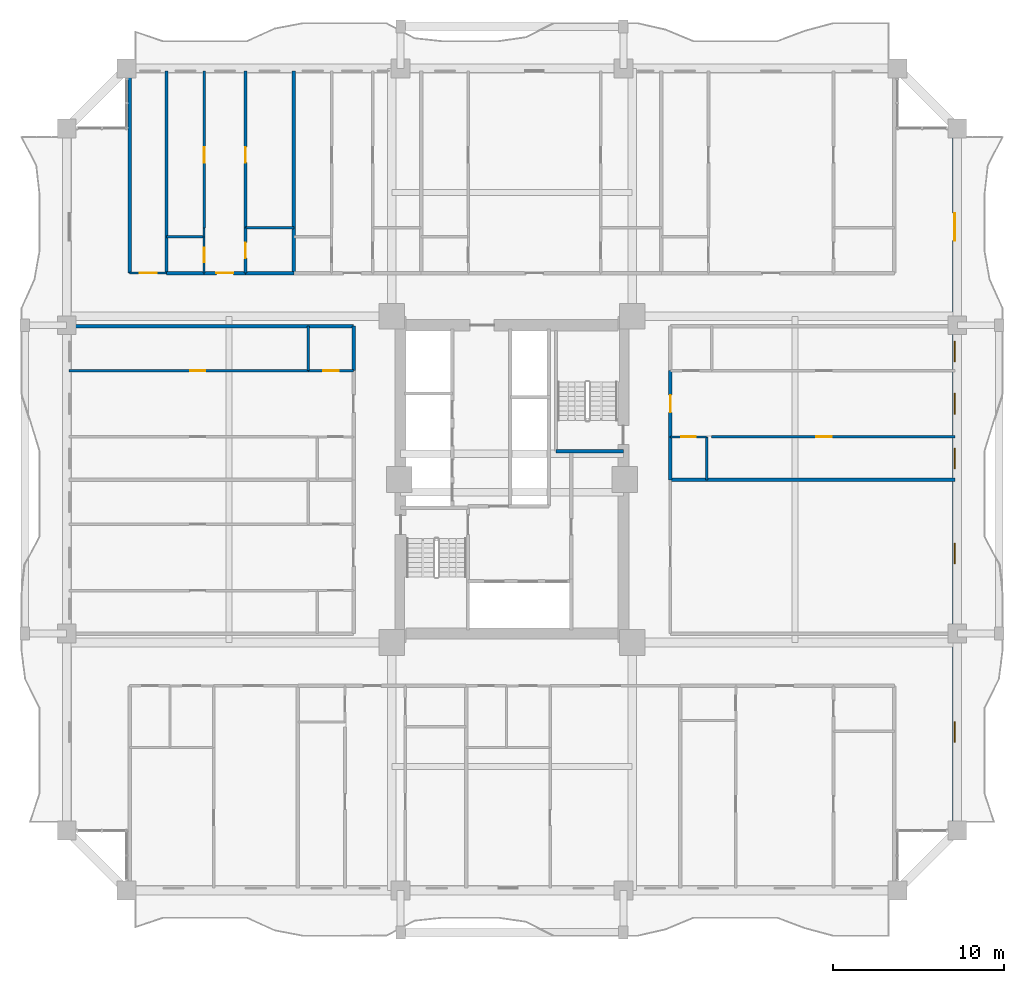
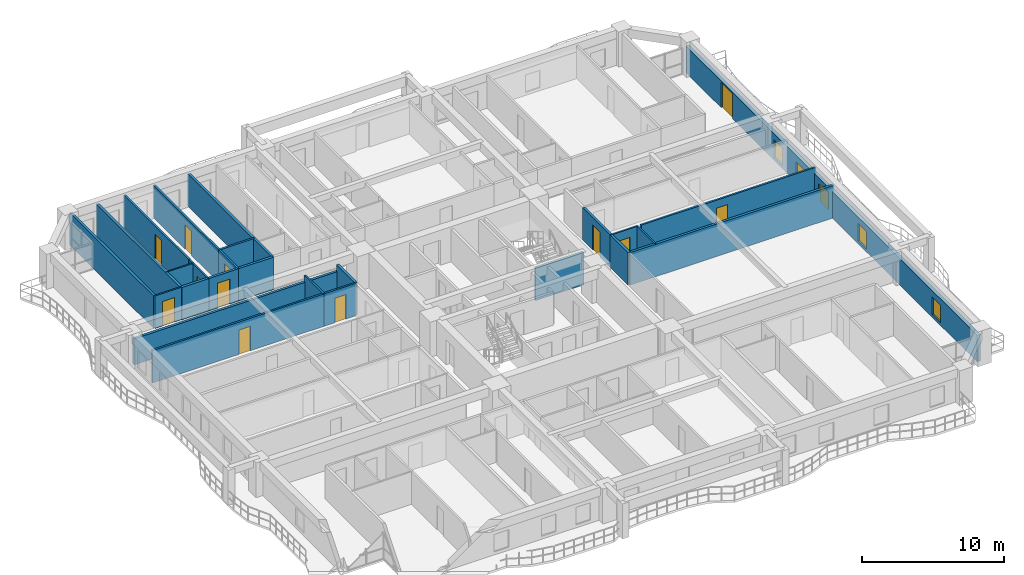
# One storey, part 17 of 27: 27 walls, 12 doors, 5 windows, 17 openings.
"""IFC4 building model written with IfcOpenShell, lengths in metres."""

import ifcopenshell
import ifcopenshell.guid

model = None  # the IFC model being written
_history = None  # IfcOwnerHistory: only IFC2X3 demands one
_inside = {}  # id of a spatial element -> (the spatial element, [elements in it])
_under = {}  # id of a project, library or spatial element -> (it, [spatial elements below it])
_declared = {}  # id of a project -> (the project, [libraries it declares])
_typed = {}  # id of a type object -> (the type object, [elements of that type])
_made_of = {}  # id of a material, layer set ... -> (it, [elements and type objects made of it])


def new_model(schema):
    """Start an empty IFC model of exactly this schema.

    Asked for "IFC4X3", IfcOpenShell would pick the latest addendum, in which some entities
    have other attributes; the version numbers below select the first issue.
    IFC2X3 requires an IfcOwnerHistory on every rooted entity: one is made here for all.
    """
    global model, _history
    if schema == "IFC4X3":
        model = ifcopenshell.file(schema_version=(4, 3, 0, 0))
    else:
        model = ifcopenshell.file(schema=schema)
    _inside.clear()
    _under.clear()
    _declared.clear()
    _typed.clear()
    _made_of.clear()
    _history = None
    if model.schema == "IFC2X3":
        org = make("IfcOrganization", Name="unknown")
        user = make(
            "IfcPersonAndOrganization",
            ThePerson=make("IfcPerson", FamilyName="unknown"),
            TheOrganization=org,
        )
        app = make(
            "IfcApplication",
            ApplicationDeveloper=org,
            Version="unknown",
            ApplicationFullName="unknown",
            ApplicationIdentifier="unknown",
        )
        _history = make(
            "IfcOwnerHistory",
            OwningUser=user,
            OwningApplication=app,
            ChangeAction="ADDED",
            CreationDate=0,
        )
    return model


def make(cls, **values):
    """One entity of the class cls with the attributes given. An attribute that is None is left unset."""
    return model.create_entity(
        cls, **{name: value for name, value in values.items() if value is not None}
    )


def rooted(cls, **values):
    """An entity with a GlobalId (a new one), such as an element, a storey or a relation."""
    return make(cls, GlobalId=ifcopenshell.guid.new(), OwnerHistory=_history, **values)


def si_unit(unit_type, name, prefix=None):
    """IfcSIUnit, for example si_unit("LENGTHUNIT", "METRE", prefix="MILLI")."""
    return make("IfcSIUnit", UnitType=unit_type, Prefix=prefix, Name=name)


def assignment(units):
    """IfcUnitAssignment: the units of a project."""
    return None if units is None else make("IfcUnitAssignment", Units=units)


def point(xyz):
    """IfcCartesianPoint."""
    return None if xyz is None else make("IfcCartesianPoint", Coordinates=xyz)


def direction(xyz):
    """IfcDirection."""
    return None if xyz is None else make("IfcDirection", DirectionRatios=xyz)


def frame(location, z_axis=None, x_axis=None):
    """IfcAxis2Placement3D, a coordinate frame: its origin and axes. An axis left out is left unset."""
    return make(
        "IfcAxis2Placement3D",
        Location=point(location),
        Axis=direction(z_axis),
        RefDirection=direction(x_axis),
    )


def frame_2d(location, x_axis=None):
    """IfcAxis2Placement2D, a coordinate frame in the plane: its origin and x axis."""
    return make(
        "IfcAxis2Placement2D", Location=point(location), RefDirection=direction(x_axis)
    )


def origin():
    """The frame at (0, 0, 0) with its axes left unset."""
    return frame((0.0, 0.0, 0.0))


def place(relative_to, where):
    """IfcLocalPlacement: puts the frame where relative to a parent placement (None: the world)."""
    return make(
        "IfcLocalPlacement", PlacementRelTo=relative_to, RelativePlacement=where
    )


def context(
    kind, dimensions, precision=None, world=None, true_north=None, identifier=None
):
    """IfcGeometricRepresentationContext, for example the 3D "Model" context."""
    return make(
        "IfcGeometricRepresentationContext",
        ContextIdentifier=identifier,
        ContextType=kind,
        CoordinateSpaceDimension=dimensions,
        Precision=precision,
        WorldCoordinateSystem=world,
        TrueNorth=true_north,
    )


def subcontext(parent, identifier, kind, view, scale=None):
    """IfcGeometricRepresentationSubContext, for example "Body" below "Model"."""
    return make(
        "IfcGeometricRepresentationSubContext",
        ContextIdentifier=identifier,
        ContextType=kind,
        ParentContext=parent,
        TargetScale=scale,
        TargetView=view,
    )


def project(units=None, contexts=None):
    """IfcProject with its units and contexts."""
    return rooted(
        "IfcProject",
        Name="project",
        RepresentationContexts=contexts,
        UnitsInContext=assignment(units),
    )


def spatial(cls, under=None, at=None, **own):
    """A site, building, storey or space (cls), placed at a placement, below another one or the project."""
    s = rooted(cls, ObjectPlacement=at, **own)
    if under is not None:
        _under.setdefault(under.id(), (under, []))[1].append(s)
    return s


def profile(cls, at=None, kind="AREA", **sizes):
    """A parametric profile (cls). Its sizes go by their IFC names, for example OverallWidth=200.0."""
    return make(cls, ProfileType=kind, Position=at, **sizes)


def rectangle(**sizes):
    """IfcRectangleProfileDef."""
    return profile("IfcRectangleProfileDef", **sizes)


def extrude(swept, where, along, depth):
    """IfcExtrudedAreaSolid: the profile swept, set in the frame where, extruded along a direction by depth."""
    return make(
        "IfcExtrudedAreaSolid",
        SweptArea=swept,
        Position=where,
        ExtrudedDirection=direction(along),
        Depth=depth,
    )


def shape(context_of_items, identifier, shape_type, items):
    """IfcShapeRepresentation: the items that make up one representation, for example the "Body"."""
    return make(
        "IfcShapeRepresentation",
        ContextOfItems=context_of_items,
        RepresentationIdentifier=identifier,
        RepresentationType=shape_type,
        Items=items,
    )


def source(mapping_origin, context_of_items, identifier, shape_type, items):
    """IfcRepresentationMap: a shape defined once, which mapped items show again and again."""
    return make(
        "IfcRepresentationMap",
        MappingOrigin=mapping_origin,
        MappedRepresentation=shape(context_of_items, identifier, shape_type, items),
    )


def transform(
    local_origin,
    x_axis=None,
    y_axis=None,
    z_axis=None,
    scale=None,
    scale2=None,
    scale3=None,
    uniform=True,
):
    """IfcCartesianTransformationOperator3D, or its non-uniform kind. x_axis, y_axis, z_axis: its Axis1, 2, 3."""
    if uniform:
        return make(
            "IfcCartesianTransformationOperator3D",
            Axis1=direction(x_axis),
            Axis2=direction(y_axis),
            LocalOrigin=point(local_origin),
            Scale=scale,
            Axis3=direction(z_axis),
        )
    return make(
        "IfcCartesianTransformationOperator3DnonUniform",
        Axis1=direction(x_axis),
        Axis2=direction(y_axis),
        LocalOrigin=point(local_origin),
        Scale=scale,
        Axis3=direction(z_axis),
        Scale2=scale2,
        Scale3=scale3,
    )


def mapped(mapping_source, mapping_target):
    """IfcMappedItem: shows the shape of a source again, moved by a transform."""
    return make(
        "IfcMappedItem", MappingSource=mapping_source, MappingTarget=mapping_target
    )


def material(Name=None, Category=None):
    """IfcMaterial."""
    return make("IfcMaterial", Name=Name, Category=Category)


def layer(
    of_material, thickness, ventilated=None, Name=None, Category=None, Priority=None
):
    """IfcMaterialLayer: one layer of a wall or slab, of a material (None: an air gap)."""
    return make(
        "IfcMaterialLayer",
        Material=of_material,
        LayerThickness=thickness,
        IsVentilated=ventilated,
        Name=Name,
        Category=Category,
        Priority=Priority,
    )


def layer_set(layers, Name=None):
    """IfcMaterialLayerSet."""
    return make("IfcMaterialLayerSet", MaterialLayers=layers, LayerSetName=Name)


def made_of(thing, what):
    """Note that an element or type object is made of a material, layer set ...; save() writes the relation."""
    if what is not None:
        _made_of.setdefault(what.id(), (what, []))[1].append(thing)
    return thing


def type_object(cls, material=None, **own):
    """A type object (cls), such as IfcWallType, which elements share."""
    return made_of(rooted(cls, **own), material)


def element(
    cls,
    number,
    at=None,
    inside=None,
    cuts=None,
    type_object=None,
    material=None,
    context=None,
    identifier="Body",
    shape_type=None,
    held_by="IfcProductDefinitionShape",
    body=None,
    shapes=None,
    **own,
):
    """One element of the class cls, such as IfcWall. Its Tag is "e" and its number.

    at: its placement. inside: the storey or other place that contains it. cuts: it is an
    opening in that element (IfcRelVoidsElement). A single representation is given by context,
    identifier, shape_type and body (its items); several are given by shapes. held_by: the class
    of the entity that holds the representations. save() writes the other relations.
    """
    e = rooted(cls, Tag="e%d" % number, ObjectPlacement=at, **own)
    if body is not None:
        shapes = [shape(context, identifier, shape_type, body)]
    if shapes is not None:
        e.Representation = make(held_by, Representations=shapes)
    if inside is not None:
        _inside.setdefault(inside.id(), (inside, []))[1].append(e)
    if cuts is not None:
        rooted(
            "IfcRelVoidsElement", RelatingBuildingElement=cuts, RelatedOpeningElement=e
        )
    if type_object is not None:
        _typed.setdefault(type_object.id(), (type_object, []))[1].append(e)
    return made_of(e, material)


def fill(opening, filler):
    """IfcRelFillsElement: the door or window that sits in an opening."""
    return rooted(
        "IfcRelFillsElement",
        RelatingOpeningElement=opening,
        RelatedBuildingElement=filler,
    )


def aggregate(whole, parts):
    """IfcRelAggregates: a whole, such as a stair, and the parts it consists of."""
    return rooted("IfcRelAggregates", RelatingObject=whole, RelatedObjects=parts)


def save(model, path):
    """Write the relations noted so far, then the file.

    IfcRelAggregates (storeys below a building ...), IfcRelContainedInSpatialStructure (elements
    in a storey), IfcRelDefinesByType, IfcRelAssociatesMaterial and IfcRelDeclares: one each for
    every whole, place, type object, material and project.
    """
    for whole, parts in _under.values():
        aggregate(whole, parts)
    for where, things in _inside.values():
        rooted(
            "IfcRelContainedInSpatialStructure",
            RelatedElements=things,
            RelatingStructure=where,
        )
    for kind, things in _typed.values():
        rooted("IfcRelDefinesByType", RelatedObjects=things, RelatingType=kind)
    for what, things in _made_of.values():
        rooted("IfcRelAssociatesMaterial", RelatedObjects=things, RelatingMaterial=what)
    for by, libraries in _declared.values():
        rooted("IfcRelDeclares", RelatingContext=by, RelatedDefinitions=libraries)
    model.write(path)


model = new_model("IFC4")

# Units and contexts
model_context = context("Model", 3, precision=1e-05, world=origin(), true_north=direction((0.0, 1.0)))
body_context = subcontext(model_context, "Body", "Model", "MODEL_VIEW")
ifc_project = project(units=[si_unit("LENGTHUNIT", "METRE"), si_unit("AREAUNIT", "SQUARE_METRE"), si_unit("VOLUMEUNIT", "CUBIC_METRE"), si_unit("PLANEANGLEUNIT", "RADIAN"), si_unit("MASSUNIT", "GRAM", prefix="KILO")], contexts=[model_context])

# Site, building, storey
site_placement = place(None, origin())
site = spatial("IfcSite", under=ifc_project, at=site_placement, CompositionType="ELEMENT")
building_placement = place(site_placement, origin())
building = spatial("IfcBuilding", under=site, at=building_placement, Name="Saelheon Loggia Tower", CompositionType="ELEMENT")
storey_placement = place(building_placement, frame((0.0, 0.0, 52.39990234375)))
storey = spatial("IfcBuildingStorey", under=building, at=storey_placement, Name="L16", CompositionType="ELEMENT", Elevation=52.39990234375)

# Wall, openings, windows, door
ifc_material_1 = material(Name="Architectural Precast Concrete C40/50", Category="concrete")
ifc_layer_1 = layer(ifc_material_1, 0.280029296875)
ifc_layer_set_1 = layer_set([ifc_layer_1], Name="Architectural Precast Concrete C40/50")
wall_type_1 = type_object("IfcWallType", Name="Wall_Ext_Loggia_280", PredefinedType="SOLIDWALL", material=ifc_layer_set_1)
wall_1_placement = place(storey_placement, frame((63.860107421875, 6.5, 0.0), z_axis=(0.0, 0.0, 1.0), x_axis=(0.0, 1.0, 0.0)))
wall_1 = element("IfcWall", 1, at=wall_1_placement, inside=storey, type_object=wall_type_1, Name="L16 East Loggia Inner Wall", PredefinedType="SOLIDWALL", context=body_context, shape_type="SweptSolid", body=[
    extrude(rectangle(XDim=41.0, YDim=0.280029296875, at=frame_2d((20.5, 0.0))), origin(), (0.0, 0.0, 1.0), 2.280029296875),
])
opening_1_placement = place(wall_1_placement, frame((5.14990234375, 0.0, 0.25)))
opening_1 = element("IfcOpeningElement", 2, at=opening_1_placement, cuts=wall_1, Name="Opening WN-03", PredefinedType="OPENING", context=body_context, shape_type="SweptSolid", body=[
    extrude(rectangle(XDim=1.199951171875, YDim=1.5, at=frame_2d((0.60009765625, 0.75))), frame((0.0, 0.152099609375, 0.0), z_axis=(0.0, -1.0, 0.0), x_axis=(1.0, 0.0, 0.0)), (0.0, 0.0, 1.0), 0.303955078125),
])
opening_2_placement = place(wall_1_placement, frame((15.58251953125, 0.0, 0.25)))
opening_2 = element("IfcOpeningElement", 3, at=opening_2_placement, cuts=wall_1, Name="Opening WN-03", PredefinedType="OPENING", context=body_context, shape_type="SweptSolid", body=[
    extrude(rectangle(XDim=1.199951171875, YDim=1.5, at=frame_2d((0.60009765625, 0.75))), frame((0.0, 0.152099609375, 0.0), z_axis=(0.0, -1.0, 0.0), x_axis=(1.0, 0.0, 0.0)), (0.0, 0.0, 1.0), 0.303955078125),
])
opening_3_placement = place(wall_1_placement, frame((21.131591796875, 0.0, 0.25)))
opening_3 = element("IfcOpeningElement", 4, at=opening_3_placement, cuts=wall_1, Name="Opening WN-03", PredefinedType="OPENING", context=body_context, shape_type="SweptSolid", body=[
    extrude(rectangle(XDim=1.199951171875, YDim=1.5, at=frame_2d((0.60009765625, 0.75))), frame((0.0, 0.152099609375, 0.0), z_axis=(0.0, -1.0, 0.0), x_axis=(1.0, 0.0, 0.0)), (0.0, 0.0, 1.0), 0.303955078125),
])
opening_4_placement = place(wall_1_placement, frame((24.319091796875, 0.0, 0.25)))
opening_4 = element("IfcOpeningElement", 5, at=opening_4_placement, cuts=wall_1, Name="Opening WN-03", PredefinedType="OPENING", context=body_context, shape_type="SweptSolid", body=[
    extrude(rectangle(XDim=1.199951171875, YDim=1.5, at=frame_2d((0.60009765625, 0.75))), frame((0.0, 0.152099609375, 0.0), z_axis=(0.0, -1.0, 0.0), x_axis=(1.0, 0.0, 0.0)), (0.0, 0.0, 1.0), 0.303955078125),
])
opening_5_placement = place(wall_1_placement, frame((27.3798828125, 0.0, 0.25)))
opening_5 = element("IfcOpeningElement", 6, at=opening_5_placement, cuts=wall_1, Name="Opening WN-03", PredefinedType="OPENING", context=body_context, shape_type="SweptSolid", body=[
    extrude(rectangle(XDim=1.199951171875, YDim=1.5, at=frame_2d((0.60009765625, 0.75))), frame((0.0, 0.152099609375, 0.0), z_axis=(0.0, -1.0, 0.0), x_axis=(1.0, 0.0, 0.0)), (0.0, 0.0, 1.0), 0.303955078125),
])
opening_6_placement = place(wall_1_placement, frame((36.050048828125, 0.0, 0.0), z_axis=(0.0, 0.0, 1.0), x_axis=(-1.0, 0.0, 0.0)))
opening_6 = element("IfcOpeningElement", 7, at=opening_6_placement, cuts=wall_1, Name="Opening DLG-1", PredefinedType="OPENING", context=body_context, shape_type="SweptSolid", body=[
    extrude(rectangle(XDim=1.60009765625, YDim=2.14990234375, at=frame_2d((0.800048828125, 1.074951171875))), frame((0.0, 0.152099609375, 0.0), z_axis=(0.0, -1.0, 0.0), x_axis=(1.0, 0.0, 0.0)), (0.0, 0.0, 1.0), 0.303955078125),
])
ifc_material_2 = material(Name="Thermal-Break Aluminium and Triple Low-E Glass", Category="aluminium")
window_type = type_object("IfcWindowType", Name="Win_Bedroom_1200x1500", PartitioningType="SINGLE_PANEL", PredefinedType="WINDOW", material=ifc_material_2)
shared_shape_1 = source(origin(), body_context, "Body", "SweptSolid", [
    extrude(rectangle(XDim=1.199951171875, YDim=1.5, at=frame_2d((0.60009765625, 0.75))), frame((0.0, 0.030029296875, 0.0), z_axis=(0.0, -1.0, 0.0), x_axis=(1.0, 0.0, 0.0)), (0.0, 0.0, 1.0), 0.06005859375),
])
window_1_placement = place(opening_1_placement, origin())
window_1 = element("IfcWindow", 8, at=window_1_placement, inside=storey, type_object=window_type, Name="L16 E Dwelling Window 1", OverallHeight=1.5, OverallWidth=1.199951171875, PartitioningType="SINGLE_PANEL", PredefinedType="WINDOW", context=body_context, shape_type="MappedRepresentation", body=[
    mapped(shared_shape_1, transform((0.0, 0.0, 0.0), scale=1.0)),
])
fill(opening_1, window_1)
window_2_placement = place(opening_2_placement, origin())
window_2 = element("IfcWindow", 9, at=window_2_placement, inside=storey, type_object=window_type, Name="L16 E Dwelling Window 2", OverallHeight=1.5, OverallWidth=1.199951171875, PartitioningType="SINGLE_PANEL", PredefinedType="WINDOW", context=body_context, shape_type="MappedRepresentation", body=[
    mapped(shared_shape_1, transform((0.0, 0.0, 0.0), scale=1.0)),
])
fill(opening_2, window_2)
window_3_placement = place(opening_3_placement, origin())
window_3 = element("IfcWindow", 10, at=window_3_placement, inside=storey, type_object=window_type, Name="L16 E Dwelling Window 3", OverallHeight=1.5, OverallWidth=1.199951171875, PartitioningType="SINGLE_PANEL", PredefinedType="WINDOW", context=body_context, shape_type="MappedRepresentation", body=[
    mapped(shared_shape_1, transform((0.0, 0.0, 0.0), scale=1.0)),
])
fill(opening_3, window_3)
window_4_placement = place(opening_4_placement, origin())
window_4 = element("IfcWindow", 11, at=window_4_placement, inside=storey, type_object=window_type, Name="L16 E Dwelling Window 4", OverallHeight=1.5, OverallWidth=1.199951171875, PartitioningType="SINGLE_PANEL", PredefinedType="WINDOW", context=body_context, shape_type="MappedRepresentation", body=[
    mapped(shared_shape_1, transform((0.0, 0.0, 0.0), scale=1.0)),
])
fill(opening_4, window_4)
window_5_placement = place(opening_5_placement, origin())
window_5 = element("IfcWindow", 12, at=window_5_placement, inside=storey, type_object=window_type, Name="L16 E Dwelling Window 5", OverallHeight=1.5, OverallWidth=1.199951171875, PartitioningType="SINGLE_PANEL", PredefinedType="WINDOW", context=body_context, shape_type="MappedRepresentation", body=[
    mapped(shared_shape_1, transform((0.0, 0.0, 0.0), scale=1.0)),
])
fill(opening_5, window_5)
ifc_material_3 = material(Name="Thermal-Break Aluminium Sliding Glazed Door", Category="aluminium")
door_type_1 = type_object("IfcDoorType", Name="Door_LoggiaSlide_1600", OperationType="SLIDING_TO_LEFT", PredefinedType="DOOR", material=ifc_material_3)
shared_shape_2 = source(origin(), body_context, "Body", "SweptSolid", [
    extrude(rectangle(XDim=1.60009765625, YDim=2.14990234375, at=frame_2d((0.800048828125, 1.074951171875))), frame((0.0, 0.02490234375, 0.0), z_axis=(0.0, -1.0, 0.0), x_axis=(1.0, 0.0, 0.0)), (0.0, 0.0, 1.0), 0.050048828125),
])
door_1_placement = place(opening_6_placement, origin())
door_1 = element("IfcDoor", 13, at=door_1_placement, inside=storey, type_object=door_type_1, Name="L16 E Loggia Access Door", OperationType="SLIDING_TO_LEFT", OverallHeight=2.14990234375, OverallWidth=1.60009765625, PredefinedType="DOOR", context=body_context, shape_type="MappedRepresentation", body=[
    mapped(shared_shape_2, transform((0.0, 0.0, 0.0), scale=1.0)),
])
fill(opening_6, door_1)

# Wall
ifc_material_4 = material(Name="Lightweight Autoclaved Aerated Concrete Block and Acoustic Gypsum", Category="concrete")
ifc_layer_2 = layer(ifc_material_4, 0.14990234375)
ifc_layer_set_2 = layer_set([ifc_layer_2], Name="Lightweight Autoclaved Aerated Concrete Block and Acoustic Gypsum")
wall_type_2 = type_object("IfcWallType", Name="Wall_Part_150", PredefinedType="PARTITIONING", material=ifc_layer_set_2)
wall_2_placement = place(storey_placement, frame((22.440185546875, 41.68994140625, 0.0), z_axis=(0.0, 0.0, 1.0), x_axis=(1.0, 0.0, 0.0)))
element("IfcWall", 14, at=wall_2_placement, inside=storey, type_object=wall_type_2, Name="L16 N Partition V09", PredefinedType="PARTITIONING", context=body_context, shape_type="SweptSolid", body=[
    extrude(rectangle(XDim=2.82568359375, YDim=0.14990234375, at=frame_2d((1.412841796875, 0.0))), origin(), (0.0, 0.0, 1.0), 2.7900390625),
])

# Wall, opening, door
wall_3_placement = place(storey_placement, frame((20.030029296875, 41.68994140625, 0.0), z_axis=(0.0, 0.0, 1.0), x_axis=(0.0, 1.0, 0.0)))
wall_3 = element("IfcWall", 15, at=wall_3_placement, inside=storey, type_object=wall_type_2, Name="L16 N Partition U12", PredefinedType="PARTITIONING", context=body_context, shape_type="SweptSolid", body=[
    extrude(rectangle(XDim=9.16015625, YDim=0.14990234375, at=frame_2d((4.580078125, 0.0))), origin(), (0.0, 0.0, 1.0), 2.7900390625),
])
opening_7_placement = place(wall_3_placement, frame((3.805908203125, 0.0, 0.0)))
opening_7 = element("IfcOpeningElement", 16, at=opening_7_placement, cuts=wall_3, Name="Opening D-IN2", PredefinedType="OPENING", context=body_context, shape_type="SweptSolid", body=[
    extrude(rectangle(XDim=0.89990234375, YDim=2.10009765625, at=frame_2d((0.449951171875, 1.050048828125))), frame((0.0, 0.0869140625, 0.0), z_axis=(0.0, -1.0, 0.0), x_axis=(1.0, 0.0, 0.0)), (0.0, 0.0, 1.0), 0.173828125),
])
ifc_material_5 = material(Name="Engineered Oak Flush Door", Category="timber")
door_type_2 = type_object("IfcDoorType", Name="Door_Int_900", OperationType="NOTDEFINED", PredefinedType="DOOR", material=ifc_material_5)
shared_shape_3 = source(origin(), body_context, "Body", "SweptSolid", [
    extrude(rectangle(XDim=0.89990234375, YDim=2.10009765625, at=frame_2d((0.449951171875, 1.050048828125))), frame((0.0, 0.02490234375, 0.0), z_axis=(0.0, -1.0, 0.0), x_axis=(1.0, 0.0, 0.0)), (0.0, 0.0, 1.0), 0.050048828125),
])
door_2_placement = place(opening_7_placement, origin())
door_2 = element("IfcDoor", 17, at=door_2_placement, inside=storey, type_object=door_type_2, Name="Unit U03 Kitchen Door", OperationType="SINGLE_SWING_RIGHT", OverallHeight=2.10009765625, OverallWidth=0.89990234375, PredefinedType="DOOR", context=body_context, shape_type="MappedRepresentation", body=[
    mapped(shared_shape_3, transform((0.0, 0.0, 0.0), scale=1.0)),
])
fill(opening_7, door_2)

wall_4_placement = place(storey_placement, frame((22.440185546875, 39.050048828125, 0.0), z_axis=(0.0, 0.0, 1.0), x_axis=(0.0, 1.0, 0.0)))
wall_4 = element("IfcWall", 18, at=wall_4_placement, inside=storey, type_object=wall_type_2, Name="L16 N Partition U13", PredefinedType="PARTITIONING", context=body_context, shape_type="SweptSolid", body=[
    extrude(rectangle(XDim=2.639892578125, YDim=0.14990234375, at=frame_2d((1.31982421875, 0.0))), origin(), (0.0, 0.0, 1.0), 2.7900390625),
])
opening_8_placement = place(wall_4_placement, frame((0.8701171875, 0.0, 0.0)))
opening_8 = element("IfcOpeningElement", 19, at=opening_8_placement, cuts=wall_4, Name="Opening D-IN2", PredefinedType="OPENING", context=body_context, shape_type="SweptSolid", body=[
    extrude(rectangle(XDim=0.89990234375, YDim=2.10009765625, at=frame_2d((0.449951171875, 1.050048828125))), frame((0.0, 0.0869140625, 0.0), z_axis=(0.0, -1.0, 0.0), x_axis=(1.0, 0.0, 0.0)), (0.0, 0.0, 1.0), 0.173828125),
])
door_3_placement = place(opening_8_placement, origin())
door_3 = element("IfcDoor", 20, at=door_3_placement, inside=storey, type_object=door_type_2, Name="Unit U03 Dressing Closet Door", OperationType="SINGLE_SWING_LEFT", OverallHeight=2.10009765625, OverallWidth=0.89990234375, PredefinedType="DOOR", context=body_context, shape_type="MappedRepresentation", body=[
    mapped(shared_shape_3, transform((0.0, 0.0, 0.0), scale=1.0)),
])
fill(opening_8, door_3)

wall_5_placement = place(storey_placement, frame((22.440185546875, 41.68994140625, 0.0), z_axis=(0.0, 0.0, 1.0), x_axis=(0.0, 1.0, 0.0)))
wall_5 = element("IfcWall", 21, at=wall_5_placement, inside=storey, type_object=wall_type_2, Name="L16 N Partition U14", PredefinedType="PARTITIONING", context=body_context, shape_type="SweptSolid", body=[
    extrude(rectangle(XDim=9.16015625, YDim=0.14990234375, at=frame_2d((4.580078125, 0.0))), origin(), (0.0, 0.0, 1.0), 2.7900390625),
])
opening_9_placement = place(wall_5_placement, frame((3.805908203125, 0.0, 0.0)))
opening_9 = element("IfcOpeningElement", 22, at=opening_9_placement, cuts=wall_5, Name="Opening D-IN2", PredefinedType="OPENING", context=body_context, shape_type="SweptSolid", body=[
    extrude(rectangle(XDim=0.89990234375, YDim=2.10009765625, at=frame_2d((0.449951171875, 1.050048828125))), frame((0.0, 0.0869140625, 0.0), z_axis=(0.0, -1.0, 0.0), x_axis=(1.0, 0.0, 0.0)), (0.0, 0.0, 1.0), 0.173828125),
])
door_4_placement = place(opening_9_placement, origin())
door_4 = element("IfcDoor", 23, at=door_4_placement, inside=storey, type_object=door_type_2, Name="Unit U03 Bedroom 1 Door", OperationType="SINGLE_SWING_RIGHT", OverallHeight=2.10009765625, OverallWidth=0.89990234375, PredefinedType="DOOR", context=body_context, shape_type="MappedRepresentation", body=[
    mapped(shared_shape_3, transform((0.0, 0.0, 0.0), scale=1.0)),
])
fill(opening_9, door_4)

# Wall
wall_6_placement = place(storey_placement, frame((26.110107421875, 33.35009765625, 0.0), z_axis=(0.0, 0.0, 1.0), x_axis=(0.0, 1.0, 0.0)))
element("IfcWall", 24, at=wall_6_placement, inside=storey, type_object=wall_type_2, Name="L16 W Partition V18", PredefinedType="PARTITIONING", context=body_context, shape_type="SweptSolid", body=[
    extrude(rectangle(XDim=2.599853515625, YDim=0.14990234375, at=frame_2d((1.2998046875, 0.0))), origin(), (0.0, 0.0, 1.0), 2.7900390625),
])

# Wall, opening, door
wall_7_placement = place(storey_placement, frame((28.75, 33.35009765625, 0.0), z_axis=(0.0, 0.0, 1.0), x_axis=(-1.0, 0.0, 0.0)))
wall_7 = element("IfcWall", 25, at=wall_7_placement, inside=storey, type_object=wall_type_2, Name="L16 W Partition U22", PredefinedType="PARTITIONING", context=body_context, shape_type="SweptSolid", body=[
    extrude(rectangle(XDim=2.639892578125, YDim=0.14990234375, at=frame_2d((1.31982421875, 0.0))), origin(), (0.0, 0.0, 1.0), 2.7900390625),
])
opening_10_placement = place(wall_7_placement, frame((0.8701171875, 0.0, 0.0)))
opening_10 = element("IfcOpeningElement", 26, at=opening_10_placement, cuts=wall_7, Name="Opening D-IN2", PredefinedType="OPENING", context=body_context, shape_type="SweptSolid", body=[
    extrude(rectangle(XDim=0.89990234375, YDim=2.10009765625, at=frame_2d((0.449951171875, 1.050048828125))), frame((0.0, 0.0869140625, 0.0), z_axis=(0.0, -1.0, 0.0), x_axis=(1.0, 0.0, 0.0)), (0.0, 0.0, 1.0), 0.173828125),
])
door_5_placement = place(opening_10_placement, origin())
door_5 = element("IfcDoor", 27, at=door_5_placement, inside=storey, type_object=door_type_2, Name="Unit U08 Dressing Closet Door", OperationType="SINGLE_SWING_RIGHT", OverallHeight=2.10009765625, OverallWidth=0.89990234375, PredefinedType="DOOR", context=body_context, shape_type="MappedRepresentation", body=[
    mapped(shared_shape_3, transform((0.0, 0.0, 0.0), scale=1.0)),
])
fill(opening_10, door_5)

wall_8_placement = place(storey_placement, frame((26.110107421875, 33.35009765625, 0.0), z_axis=(0.0, 0.0, 1.0), x_axis=(-1.0, 0.0, 0.0)))
wall_8 = element("IfcWall", 28, at=wall_8_placement, inside=storey, type_object=wall_type_2, Name="L16 W Partition U23", PredefinedType="PARTITIONING", context=body_context, shape_type="SweptSolid", body=[
    extrude(rectangle(XDim=13.960205078125, YDim=0.14990234375, at=frame_2d((6.97998046875, 0.0))), origin(), (0.0, 0.0, 1.0), 2.7900390625),
])
opening_11_placement = place(wall_8_placement, frame((6.005859375, 0.0, 0.0)))
opening_11 = element("IfcOpeningElement", 29, at=opening_11_placement, cuts=wall_8, Name="Opening D-IN2", PredefinedType="OPENING", context=body_context, shape_type="SweptSolid", body=[
    extrude(rectangle(XDim=0.89990234375, YDim=2.10009765625, at=frame_2d((0.449951171875, 1.050048828125))), frame((0.0, 0.0869140625, 0.0), z_axis=(0.0, -1.0, 0.0), x_axis=(1.0, 0.0, 0.0)), (0.0, 0.0, 1.0), 0.173828125),
])
door_6_placement = place(opening_11_placement, origin())
door_6 = element("IfcDoor", 30, at=door_6_placement, inside=storey, type_object=door_type_2, Name="Unit U08 Bedroom 1 Door", OperationType="SINGLE_SWING_LEFT", OverallHeight=2.10009765625, OverallWidth=0.89990234375, PredefinedType="DOOR", context=body_context, shape_type="MappedRepresentation", body=[
    mapped(shared_shape_3, transform((0.0, 0.0, 0.0), scale=1.0)),
])
fill(opening_11, door_6)

wall_9_placement = place(storey_placement, frame((49.64990234375, 29.488037109375, 0.0), z_axis=(0.0, 0.0, 1.0), x_axis=(1.0, 0.0, 0.0)))
wall_9 = element("IfcWall", 31, at=wall_9_placement, inside=storey, type_object=wall_type_2, Name="L16 E Partition U11", PredefinedType="PARTITIONING", context=body_context, shape_type="SweptSolid", body=[
    extrude(rectangle(XDim=14.2001953125, YDim=0.14990234375, at=frame_2d((7.10009765625, 0.0))), origin(), (0.0, 0.0, 1.0), 2.7900390625),
])
opening_12_placement = place(wall_9_placement, frame((6.11572265625, 0.0, 0.0)))
opening_12 = element("IfcOpeningElement", 32, at=opening_12_placement, cuts=wall_9, Name="Opening D-IN2", PredefinedType="OPENING", context=body_context, shape_type="SweptSolid", body=[
    extrude(rectangle(XDim=0.89990234375, YDim=2.10009765625, at=frame_2d((0.449951171875, 1.050048828125))), frame((0.0, 0.0869140625, 0.0), z_axis=(0.0, -1.0, 0.0), x_axis=(1.0, 0.0, 0.0)), (0.0, 0.0, 1.0), 0.173828125),
])
door_7_placement = place(opening_12_placement, origin())
door_7 = element("IfcDoor", 33, at=door_7_placement, inside=storey, type_object=door_type_2, Name="Unit U09 Kitchen Door", OperationType="SINGLE_SWING_LEFT", OverallHeight=2.10009765625, OverallWidth=0.89990234375, PredefinedType="DOOR", context=body_context, shape_type="MappedRepresentation", body=[
    mapped(shared_shape_3, transform((0.0, 0.0, 0.0), scale=1.0)),
])
fill(opening_12, door_7)

# Walls
ifc_material_6 = material(Name="Double Acoustic Stud and Fireboard Partition", Category="gypsum")
ifc_layer_3 = layer(ifc_material_6, 0.199951171875)
ifc_layer_set_3 = layer_set([ifc_layer_3], Name="Double Acoustic Stud and Fireboard Partition")
wall_type_3 = type_object("IfcWallType", Name="Wall_Party_200", PredefinedType="PARTITIONING", material=ifc_layer_set_3)
for number, where, z_axis, x_axis, name in (
    (34, (15.679931640625, 39.050048828125, 0.0), (0.0, 0.0, 1.0), (0.0, 1.0, 0.0), "L16 N Partition U01"),
    (35, (17.830078125, 39.050048828125, 0.0), (0.0, 0.0, 1.0), (0.0, 1.0, 0.0), "L16 N Partition U03"),
):
    element("IfcWall", number, at=place(storey_placement, frame(where, z_axis=z_axis, x_axis=x_axis)), inside=storey, type_object=wall_type_3, Name=name, PredefinedType="PARTITIONING", context=body_context, shape_type="SweptSolid", body=[
        extrude(rectangle(XDim=11.800048828125, YDim=0.199951171875, at=frame_2d((5.89990234375, 0.0))), origin(), (0.0, 0.0, 1.0), 2.7900390625),
    ])
wall_10_placement = place(storey_placement, frame((17.830078125, 39.050048828125, 0.0), z_axis=(0.0, 0.0, 1.0), x_axis=(1.0, 0.0, 0.0)))
element("IfcWall", 36, at=wall_10_placement, inside=storey, type_object=wall_type_3, Name="L16 N Partition V05", PredefinedType="PARTITIONING", context=body_context, shape_type="SweptSolid", body=[
    extrude(rectangle(XDim=2.199951171875, YDim=0.199951171875, at=frame_2d((1.10009765625, 0.0))), origin(), (0.0, 0.0, 1.0), 2.7900390625),
])

# Wall, opening, door
wall_11_placement = place(storey_placement, frame((20.030029296875, 39.050048828125, 0.0), z_axis=(0.0, 0.0, 1.0), x_axis=(1.0, 0.0, 0.0)))
wall_11 = element("IfcWall", 37, at=wall_11_placement, inside=storey, type_object=wall_type_3, Name="L16 N Partition V06", PredefinedType="PARTITIONING", context=body_context, shape_type="SweptSolid", body=[
    extrude(rectangle(XDim=2.41015625, YDim=0.199951171875, at=frame_2d((1.205078125, 0.0))), origin(), (0.0, 0.0, 1.0), 2.7900390625),
])
opening_13_placement = place(wall_11_placement, frame((0.705078125, 0.0, 0.0)))
opening_13 = element("IfcOpeningElement", 38, at=opening_13_placement, cuts=wall_11, Name="Opening D-FD1", PredefinedType="OPENING", context=body_context, shape_type="SweptSolid", body=[
    extrude(rectangle(XDim=1.0, YDim=2.14990234375, at=frame_2d((0.5, 1.074951171875))), frame((0.0, 0.112060546875, 0.0), z_axis=(0.0, -1.0, 0.0), x_axis=(1.0, 0.0, 0.0)), (0.0, 0.0, 1.0), 0.223876953125),
])
ifc_material_7 = material(Name="Fire-Rated Engineered Timber Entrance Door", Category="wood")
door_type_3 = type_object("IfcDoorType", Name="Door_Flat_FD30S", OperationType="NOTDEFINED", PredefinedType="DOOR", material=ifc_material_7)
shared_shape_4 = source(origin(), body_context, "Body", "SweptSolid", [
    extrude(rectangle(XDim=1.0, YDim=2.14990234375, at=frame_2d((0.5, 1.074951171875))), frame((0.0, 0.02490234375, 0.0), z_axis=(0.0, -1.0, 0.0), x_axis=(1.0, 0.0, 0.0)), (0.0, 0.0, 1.0), 0.050048828125),
])
door_8_placement = place(opening_13_placement, origin())
door_8 = element("IfcDoor", 39, at=door_8_placement, inside=storey, type_object=door_type_3, Name="Unit U03 Entrance Door", OperationType="SINGLE_SWING_RIGHT", OverallHeight=2.14990234375, OverallWidth=1.0, PredefinedType="DOOR", context=body_context, shape_type="MappedRepresentation", body=[
    mapped(shared_shape_4, transform((0.0, 0.0, 0.0), scale=1.0)),
])
fill(opening_13, door_8)

# Walls
wall_12_placement = place(storey_placement, frame((22.440185546875, 39.050048828125, 0.0), z_axis=(0.0, 0.0, 1.0), x_axis=(1.0, 0.0, 0.0)))
element("IfcWall", 40, at=wall_12_placement, inside=storey, type_object=wall_type_3, Name="L16 N Partition V07", PredefinedType="PARTITIONING", context=body_context, shape_type="SweptSolid", body=[
    extrude(rectangle(XDim=2.82568359375, YDim=0.199951171875, at=frame_2d((1.412841796875, 0.0))), origin(), (0.0, 0.0, 1.0), 2.7900390625),
])
wall_13_placement = place(storey_placement, frame((25.265869140625, 39.050048828125, 0.0), z_axis=(0.0, 0.0, 1.0), x_axis=(0.0, 1.0, 0.0)))
element("IfcWall", 41, at=wall_13_placement, inside=storey, type_object=wall_type_3, Name="L16 N Partition U15", PredefinedType="PARTITIONING", context=body_context, shape_type="SweptSolid", body=[
    extrude(rectangle(XDim=11.800048828125, YDim=0.199951171875, at=frame_2d((5.89990234375, 0.0))), origin(), (0.0, 0.0, 1.0), 2.7900390625),
])
wall_14_placement = place(storey_placement, frame((28.75, 35.949951171875, 0.0), z_axis=(0.0, 0.0, 1.0), x_axis=(-1.0, 0.0, 0.0)))
element("IfcWall", 42, at=wall_14_placement, inside=storey, type_object=wall_type_3, Name="L16 W Partition U02", PredefinedType="PARTITIONING", context=body_context, shape_type="SweptSolid", body=[
    extrude(rectangle(XDim=16.60009765625, YDim=0.199951171875, at=frame_2d((8.300048828125, 0.0))), origin(), (0.0, 0.0, 1.0), 2.239990234375),
])
wall_15_placement = place(storey_placement, frame((28.75, 33.35009765625, 0.0), z_axis=(0.0, 0.0, 1.0), x_axis=(0.0, 1.0, 0.0)))
element("IfcWall", 43, at=wall_15_placement, inside=storey, type_object=wall_type_3, Name="L16 W Partition V16", PredefinedType="PARTITIONING", context=body_context, shape_type="SweptSolid", body=[
    extrude(rectangle(XDim=2.599853515625, YDim=0.199951171875, at=frame_2d((1.2998046875, 0.0))), origin(), (0.0, 0.0, 1.0), 2.7900390625),
])
wall_16_placement = place(storey_placement, frame((47.25, 26.97509765625, 0.0), z_axis=(0.0, 0.0, 1.0), x_axis=(1.0, 0.0, 0.0)))
element("IfcWall", 44, at=wall_16_placement, inside=storey, type_object=wall_type_3, Name="L16 E Partition U04", PredefinedType="PARTITIONING", context=body_context, shape_type="SweptSolid", body=[
    extrude(rectangle(XDim=16.60009765625, YDim=0.199951171875, at=frame_2d((8.300048828125, 0.0))), origin(), (0.0, 0.0, 1.0), 2.7900390625),
])
wall_17_placement = place(storey_placement, frame((47.25, 26.97509765625, 0.0), z_axis=(0.0, 0.0, 1.0), x_axis=(0.0, 1.0, 0.0)))
element("IfcWall", 45, at=wall_17_placement, inside=storey, type_object=wall_type_3, Name="L16 E Partition V05", PredefinedType="PARTITIONING", context=body_context, shape_type="SweptSolid", body=[
    extrude(rectangle(XDim=2.512939453125, YDim=0.199951171875, at=frame_2d((1.25634765625, 0.0))), origin(), (0.0, 0.0, 1.0), 2.7900390625),
])

# Wall, opening, door
wall_18_placement = place(storey_placement, frame((47.25, 29.488037109375, 0.0), z_axis=(0.0, 0.0, 1.0), x_axis=(0.0, 1.0, 0.0)))
wall_18 = element("IfcWall", 46, at=wall_18_placement, inside=storey, type_object=wall_type_3, Name="L16 E Partition V06", PredefinedType="PARTITIONING", context=body_context, shape_type="SweptSolid", body=[
    extrude(rectangle(XDim=3.862060546875, YDim=0.199951171875, at=frame_2d((1.93115234375, 0.0))), origin(), (0.0, 0.0, 1.0), 2.7900390625),
])
opening_14_placement = place(wall_18_placement, frame((1.430908203125, 0.0, 0.0)))
opening_14 = element("IfcOpeningElement", 47, at=opening_14_placement, cuts=wall_18, Name="Opening D-FD1", PredefinedType="OPENING", context=body_context, shape_type="SweptSolid", body=[
    extrude(rectangle(XDim=1.0, YDim=2.14990234375, at=frame_2d((0.5, 1.074951171875))), frame((0.0, 0.112060546875, 0.0), z_axis=(0.0, -1.0, 0.0), x_axis=(1.0, 0.0, 0.0)), (0.0, 0.0, 1.0), 0.223876953125),
])
door_9_placement = place(opening_14_placement, origin())
door_9 = element("IfcDoor", 48, at=door_9_placement, inside=storey, type_object=door_type_3, Name="Unit U09 Entrance Door", OperationType="SINGLE_SWING_LEFT", OverallHeight=2.14990234375, OverallWidth=1.0, PredefinedType="DOOR", context=body_context, shape_type="MappedRepresentation", body=[
    mapped(shared_shape_4, transform((0.0, 0.0, 0.0), scale=1.0)),
])
fill(opening_14, door_9)

# Wall
ifc_material_8 = material(Name="Concrete C45/55", Category="concrete")
ifc_layer_4 = layer(ifc_material_8, 0.199951171875)
ifc_layer_set_4 = layer_set([ifc_layer_4], Name="Concrete C45/55")
wall_type_4 = type_object("IfcWallType", Name="Wall_StairShaft_RC200", PredefinedType="SOLIDWALL", material=ifc_layer_set_4)
wall_19_placement = place(storey_placement, frame((40.570068359375, 28.64990234375, 0.0), z_axis=(0.0, 0.0, 1.0), x_axis=(1.0, 0.0, 0.0)))
element("IfcWall", 49, at=wall_19_placement, inside=storey, type_object=wall_type_4, Name="L16 Stair ST2 South Wall", PredefinedType="SOLIDWALL", context=body_context, shape_type="SweptSolid", body=[
    extrude(rectangle(XDim=3.929931640625, YDim=0.199951171875, at=frame_2d((1.96484375, 0.0))), origin(), (0.0, 0.0, 1.0), 2.7900390625),
])

# Wall, opening, door
ifc_material_9 = material(Name="Moisture-Resistant Cement Board Partition", Category="gypsum")
ifc_layer_5 = layer(ifc_material_9, 0.1201171875)
ifc_layer_set_5 = layer_set([ifc_layer_5], Name="Moisture-Resistant Cement Board Partition")
wall_type_5 = type_object("IfcWallType", Name="Wall_WetPart_120", PredefinedType="PARTITIONING", material=ifc_layer_set_5)
wall_20_placement = place(storey_placement, frame((15.679931640625, 39.050048828125, 0.0), z_axis=(0.0, 0.0, 1.0), x_axis=(1.0, 0.0, 0.0)))
wall_20 = element("IfcWall", 50, at=wall_20_placement, inside=storey, type_object=wall_type_5, Name="L16 N Partition V04", PredefinedType="PARTITIONING", context=body_context, shape_type="SweptSolid", body=[
    extrude(rectangle(XDim=2.150146484375, YDim=0.1201171875, at=frame_2d((1.0751953125, 0.0))), origin(), (0.0, 0.0, 1.0), 2.7900390625),
])
opening_15_placement = place(wall_20_placement, frame((0.574951171875, 0.0, 0.0)))
opening_15 = element("IfcOpeningElement", 51, at=opening_15_placement, cuts=wall_20, Name="Opening D-AC1", PredefinedType="OPENING", context=body_context, shape_type="SweptSolid", body=[
    extrude(rectangle(XDim=1.0, YDim=2.10009765625, at=frame_2d((0.5, 1.050048828125))), frame((0.0, 0.072021484375, 0.0), z_axis=(0.0, -1.0, 0.0), x_axis=(1.0, 0.0, 0.0)), (0.0, 0.0, 1.0), 0.14404296875),
])
ifc_material_10 = material(Name="Accessible Laminate Flush Door", Category="timber")
door_type_4 = type_object("IfcDoorType", Name="Door_Acc_1000", OperationType="NOTDEFINED", PredefinedType="DOOR", material=ifc_material_10)
shared_shape_5 = source(origin(), body_context, "Body", "SweptSolid", [
    extrude(rectangle(XDim=1.0, YDim=2.10009765625, at=frame_2d((0.5, 1.050048828125))), frame((0.0, 0.02490234375, 0.0), z_axis=(0.0, -1.0, 0.0), x_axis=(1.0, 0.0, 0.0)), (0.0, 0.0, 1.0), 0.050048828125),
])
door_10_placement = place(opening_15_placement, origin())
door_10 = element("IfcDoor", 52, at=door_10_placement, inside=storey, type_object=door_type_4, Name="L16 Floor Accessible WC Door", OperationType="SINGLE_SWING_LEFT", OverallHeight=2.10009765625, OverallWidth=1.0, PredefinedType="DOOR", context=body_context, shape_type="MappedRepresentation", body=[
    mapped(shared_shape_5, transform((0.0, 0.0, 0.0), scale=1.0)),
])
fill(opening_15, door_10)

# Wall
wall_21_placement = place(storey_placement, frame((17.830078125, 41.169921875, 0.0), z_axis=(0.0, 0.0, 1.0), x_axis=(1.0, 0.0, 0.0)))
element("IfcWall", 53, at=wall_21_placement, inside=storey, type_object=wall_type_5, Name="L16 N Partition V08", PredefinedType="PARTITIONING", context=body_context, shape_type="SweptSolid", body=[
    extrude(rectangle(XDim=2.199951171875, YDim=0.1201171875, at=frame_2d((1.10009765625, 0.0))), origin(), (0.0, 0.0, 1.0), 2.7900390625),
])

# Wall, opening, door
wall_22_placement = place(storey_placement, frame((20.030029296875, 39.050048828125, 0.0), z_axis=(0.0, 0.0, 1.0), x_axis=(0.0, 1.0, 0.0)))
wall_22 = element("IfcWall", 54, at=wall_22_placement, inside=storey, type_object=wall_type_5, Name="L16 N Partition U10", PredefinedType="PARTITIONING", context=body_context, shape_type="SweptSolid", body=[
    extrude(rectangle(XDim=2.119873046875, YDim=0.1201171875, at=frame_2d((1.06005859375, 0.0))), origin(), (0.0, 0.0, 1.0), 2.7900390625),
])
opening_16_placement = place(wall_22_placement, frame((0.635009765625, 0.0, 0.0)))
opening_16 = element("IfcOpeningElement", 55, at=opening_16_placement, cuts=wall_22, Name="Opening D-BT1", PredefinedType="OPENING", context=body_context, shape_type="SweptSolid", body=[
    extrude(rectangle(XDim=0.85009765625, YDim=2.050048828125, at=frame_2d((0.425048828125, 1.02490234375))), frame((0.0, 0.072021484375, 0.0), z_axis=(0.0, -1.0, 0.0), x_axis=(1.0, 0.0, 0.0)), (0.0, 0.0, 1.0), 0.14404296875),
])
ifc_material_11 = material(Name="Moisture-Resistant Laminate Timber Door", Category="wood")
door_type_5 = type_object("IfcDoorType", Name="Door_Bath_850", OperationType="NOTDEFINED", PredefinedType="DOOR", material=ifc_material_11)
shared_shape_6 = source(origin(), body_context, "Body", "SweptSolid", [
    extrude(rectangle(XDim=0.85009765625, YDim=2.050048828125, at=frame_2d((0.425048828125, 1.02490234375))), frame((0.0, 0.02490234375, 0.0), z_axis=(0.0, -1.0, 0.0), x_axis=(1.0, 0.0, 0.0)), (0.0, 0.0, 1.0), 0.050048828125),
])
door_11_placement = place(opening_16_placement, origin())
door_11 = element("IfcDoor", 56, at=door_11_placement, inside=storey, type_object=door_type_5, Name="Unit U03 Bathroom Door", OperationType="SINGLE_SWING_LEFT", OverallHeight=2.050048828125, OverallWidth=0.85009765625, PredefinedType="DOOR", context=body_context, shape_type="MappedRepresentation", body=[
    mapped(shared_shape_6, transform((0.0, 0.0, 0.0), scale=1.0)),
])
fill(opening_16, door_11)

# Walls
wall_23_placement = place(storey_placement, frame((20.030029296875, 41.169921875, 0.0), z_axis=(0.0, 0.0, 1.0), x_axis=(0.0, 1.0, 0.0)))
element("IfcWall", 57, at=wall_23_placement, inside=storey, type_object=wall_type_5, Name="L16 N Partition U11", PredefinedType="PARTITIONING", context=body_context, shape_type="SweptSolid", body=[
    extrude(rectangle(XDim=0.52001953125, YDim=0.1201171875, at=frame_2d((0.260009765625, 0.0))), origin(), (0.0, 0.0, 1.0), 2.7900390625),
])
wall_24_placement = place(storey_placement, frame((49.3701171875, 26.97509765625, 0.0), z_axis=(0.0, 0.0, 1.0), x_axis=(0.0, 1.0, 0.0)))
element("IfcWall", 58, at=wall_24_placement, inside=storey, type_object=wall_type_5, Name="L16 E Partition V08", PredefinedType="PARTITIONING", context=body_context, shape_type="SweptSolid", body=[
    extrude(rectangle(XDim=2.512939453125, YDim=0.1201171875, at=frame_2d((1.25634765625, 0.0))), origin(), (0.0, 0.0, 1.0), 2.7900390625),
])

# Wall, opening, door
wall_25_placement = place(storey_placement, frame((47.25, 29.488037109375, 0.0), z_axis=(0.0, 0.0, 1.0), x_axis=(1.0, 0.0, 0.0)))
wall_25 = element("IfcWall", 59, at=wall_25_placement, inside=storey, type_object=wall_type_5, Name="L16 E Partition U10", PredefinedType="PARTITIONING", context=body_context, shape_type="SweptSolid", body=[
    extrude(rectangle(XDim=2.1201171875, YDim=0.1201171875, at=frame_2d((1.06005859375, 0.0))), origin(), (0.0, 0.0, 1.0), 2.7900390625),
])
opening_17_placement = place(wall_25_placement, frame((0.635009765625, 0.0, 0.0)))
opening_17 = element("IfcOpeningElement", 60, at=opening_17_placement, cuts=wall_25, Name="Opening D-BT1", PredefinedType="OPENING", context=body_context, shape_type="SweptSolid", body=[
    extrude(rectangle(XDim=0.85009765625, YDim=2.050048828125, at=frame_2d((0.425048828125, 1.02490234375))), frame((0.0, 0.072021484375, 0.0), z_axis=(0.0, -1.0, 0.0), x_axis=(1.0, 0.0, 0.0)), (0.0, 0.0, 1.0), 0.14404296875),
])
door_12_placement = place(opening_17_placement, origin())
door_12 = element("IfcDoor", 61, at=door_12_placement, inside=storey, type_object=door_type_5, Name="Unit U09 Bathroom Door", OperationType="SINGLE_SWING_RIGHT", OverallHeight=2.050048828125, OverallWidth=0.85009765625, PredefinedType="DOOR", context=body_context, shape_type="MappedRepresentation", body=[
    mapped(shared_shape_6, transform((0.0, 0.0, 0.0), scale=1.0)),
])
fill(opening_17, door_12)

save(model, "model.ifc")
